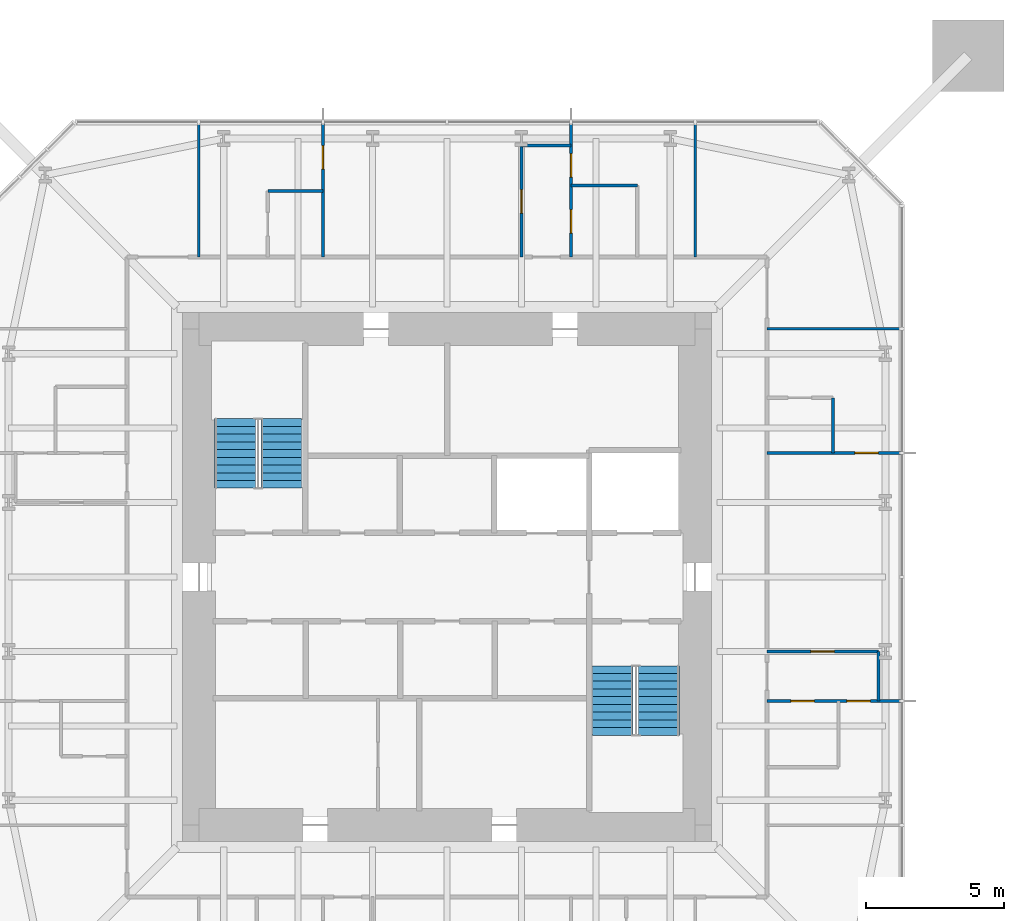
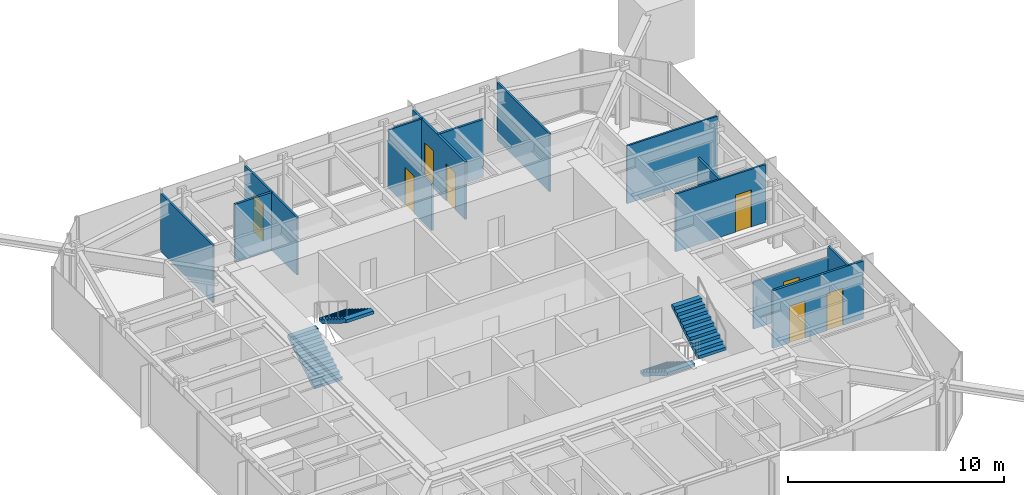
# One storey, part 8 of 9: 14 walls, 8 doors, 4 stair flights, 8 openings, 2 elements without a shape of their own.
"""IFC4 building model written with IfcOpenShell, lengths in metres."""

from ifc_helpers import new_model, si_unit, direction, frame, frame_2d, origin, place, context, subcontext, project, spatial, polyline, rectangle, outline, extrude, material, layer, layer_set, constituent, constituent_set, type_object, element, fill, aggregate, save


model = new_model("IFC4")

# Units and contexts
model_context = context("Model", 3, precision=1e-05, world=origin(), true_north=direction((0.0, 1.0)))
body_context = subcontext(model_context, "Body", "Model", "MODEL_VIEW")
ifc_project = project(units=[si_unit("LENGTHUNIT", "METRE"), si_unit("AREAUNIT", "SQUARE_METRE"), si_unit("VOLUMEUNIT", "CUBIC_METRE"), si_unit("PLANEANGLEUNIT", "RADIAN"), si_unit("MASSUNIT", "GRAM", prefix="KILO")], contexts=[model_context])

# Site, building, storey
site_placement = place(None, origin())
site = spatial("IfcSite", under=ifc_project, at=site_placement, CompositionType="ELEMENT")
building_placement = place(site_placement, origin())
building = spatial("IfcBuilding", under=site, at=building_placement, Name="Iwan Alto Co-Living Towers", CompositionType="ELEMENT")
storey_placement = place(building_placement, frame((0.0, 0.0, 243.0)))
storey = spatial("IfcBuildingStorey", under=building, at=storey_placement, Name="L66", CompositionType="ELEMENT", Elevation=243.0)

# Wall, opening, door
ifc_material_1 = material(Name="Gypsum board")
ifc_layer_1 = layer(ifc_material_1, 0.012451171875, Name="Board", Category="Finish")
ifc_material_2 = material(Name="Steel ASTM A1003 ST33H cold-formed studs", Category="steel")
ifc_layer_2 = layer(ifc_material_2, 0.074951171875, Name="Studs", Category="Framing")
ifc_layer_3 = layer(ifc_material_1, 0.012451171875, Name="Board", Category="Finish")
ifc_layer_set_1 = layer_set([ifc_layer_1, ifc_layer_2, ifc_layer_3], Name="PARTITION 100")
wall_type_1 = type_object("IfcWallType", Name="PARTITION 100", PredefinedType="PARTITIONING", material=ifc_layer_set_1)
wall_1_placement = place(storey_placement, frame((11.60009765625, -2.699951171875, 0.0), z_axis=(0.0, 0.0, 1.0), x_axis=(1.0, 0.0, 0.0)))
wall_1 = element("IfcWall", 1, at=wall_1_placement, inside=storey, type_object=wall_type_1, Name="Partition L66", PredefinedType="PARTITIONING", context=body_context, shape_type="SweptSolid", body=[
    extrude(rectangle(XDim=4.0498046875, YDim=0.10009765625, at=frame_2d((2.02490234375, 0.0))), origin(), (0.0, 0.0, 1.0), 2.662841796875),
])
opening_1_placement = place(wall_1_placement, frame((1.60009765625, 0.0, 0.0)))
opening_1 = element("IfcOpeningElement", 2, at=opening_1_placement, cuts=wall_1, Name="Opening D2", PredefinedType="OPENING", context=body_context, shape_type="SweptSolid", body=[
    extrude(rectangle(XDim=0.85009765625, YDim=2.10009765625, at=frame_2d((0.425048828125, 1.050048828125))), frame((0.0, 0.06005859375, 0.0), z_axis=(0.0, -1.0, 0.0), x_axis=(1.0, 0.0, 0.0)), (0.0, 0.0, 1.0), 0.1201171875),
])
ifc_material_3 = material(Name="Timber leaf in steel frame", Category="steel")
door_type = type_object("IfcDoorType", Name="ROOM DOOR 850X2100", OperationType="SINGLE_SWING_LEFT", PredefinedType="DOOR", material=ifc_material_3)
door_1_placement = place(opening_1_placement, origin())
door_1 = element("IfcDoor", 3, at=door_1_placement, inside=storey, type_object=door_type, Name="Apartment foyer door L66", OperationType="SINGLE_SWING_RIGHT", OverallHeight=2.10009765625, OverallWidth=0.85009765625, PredefinedType="DOOR", context=body_context, shape_type="SweptSolid", body=[
    extrude(rectangle(XDim=0.85009765625, YDim=2.10009765625, at=frame_2d((0.425048828125, 1.050048828125))), frame((0.0, 0.02490234375, 0.0), z_axis=(0.0, -1.0, 0.0), x_axis=(1.0, 0.0, 0.0)), (0.0, 0.0, 1.0), 0.050048828125),
])
fill(opening_1, door_1)

wall_2_placement = place(storey_placement, frame((11.60009765625, 4.5, 0.0), z_axis=(0.0, 0.0, 1.0), x_axis=(1.0, 0.0, 0.0)))
wall_2 = element("IfcWall", 4, at=wall_2_placement, inside=storey, type_object=wall_type_1, Name="Partition L66", PredefinedType="PARTITIONING", context=body_context, shape_type="SweptSolid", body=[
    extrude(rectangle(XDim=4.83984375, YDim=0.10009765625, at=frame_2d((2.419921875, 0.0))), origin(), (0.0, 0.0, 1.0), 3.27001953125),
])
opening_2_placement = place(wall_2_placement, frame((3.195068359375, 0.0, 0.0)))
opening_2 = element("IfcOpeningElement", 5, at=opening_2_placement, cuts=wall_2, Name="Opening D2", PredefinedType="OPENING", context=body_context, shape_type="SweptSolid", body=[
    extrude(rectangle(XDim=0.85009765625, YDim=2.10009765625, at=frame_2d((0.425048828125, 1.050048828125))), frame((0.0, 0.06005859375, 0.0), z_axis=(0.0, -1.0, 0.0), x_axis=(1.0, 0.0, 0.0)), (0.0, 0.0, 1.0), 0.1201171875),
])
door_2_placement = place(opening_2_placement, frame((0.85009765625, 0.0, 0.0), z_axis=(0.0, 0.0, 1.0), x_axis=(-1.0, 0.0, 0.0)))
door_2 = element("IfcDoor", 6, at=door_2_placement, inside=storey, type_object=door_type, Name="Bedroom door L66", OperationType="SINGLE_SWING_LEFT", OverallHeight=2.10009765625, OverallWidth=0.85009765625, PredefinedType="DOOR", context=body_context, shape_type="SweptSolid", body=[
    extrude(rectangle(XDim=0.85009765625, YDim=2.10009765625, at=frame_2d((0.425048828125, 1.050048828125))), frame((0.0, 0.02490234375, 0.0), z_axis=(0.0, -1.0, 0.0), x_axis=(1.0, 0.0, 0.0)), (0.0, 0.0, 1.0), 0.050048828125),
])
fill(opening_2, door_2)

# Walls
wall_3_placement = place(storey_placement, frame((11.60009765625, 9.0, 0.0), z_axis=(0.0, 0.0, 1.0), x_axis=(1.0, 0.0, 0.0)))
element("IfcWall", 7, at=wall_3_placement, inside=storey, type_object=wall_type_1, Name="Partition L66", PredefinedType="PARTITIONING", context=body_context, shape_type="SweptSolid", body=[
    extrude(rectangle(XDim=4.83984375, YDim=0.10009765625, at=frame_2d((2.419921875, 0.0))), origin(), (0.0, 0.0, 1.0), 3.27001953125),
])
for number, where, z_axis, x_axis, name in (
    (8, (2.699951171875, 15.64990234375, 0.0), (0.0, 0.0, 1.0), (1.0, 0.0, 0.0), "Partition L66"),
    (9, (15.64990234375, -4.5, 0.0), (0.0, 0.0, 1.0), (0.0, 1.0, 0.0), "Partition L66"),
):
    element("IfcWall", number, at=place(storey_placement, frame(where, z_axis=z_axis, x_axis=x_axis)), inside=storey, type_object=wall_type_1, Name=name, PredefinedType="PARTITIONING", context=body_context, shape_type="SweptSolid", body=[
        extrude(rectangle(XDim=1.800048828125, YDim=0.10009765625, at=frame_2d((0.89990234375, 0.0))), origin(), (0.0, 0.0, 1.0), 3.27001953125),
    ])
wall_4_placement = place(storey_placement, frame((9.0, 11.60009765625, 0.0), z_axis=(0.0, 0.0, 1.0), x_axis=(0.0, 1.0, 0.0)))
element("IfcWall", 10, at=wall_4_placement, inside=storey, type_object=wall_type_1, Name="Partition L66", PredefinedType="PARTITIONING", context=body_context, shape_type="SweptSolid", body=[
    extrude(rectangle(XDim=4.83984375, YDim=0.10009765625, at=frame_2d((2.419921875, 0.0))), origin(), (0.0, 0.0, 1.0), 3.27001953125),
])

# Wall, opening, door
wall_5_placement = place(storey_placement, frame((2.699951171875, 11.60009765625, 0.0), z_axis=(0.0, 0.0, 1.0), x_axis=(0.0, 1.0, 0.0)))
wall_5 = element("IfcWall", 11, at=wall_5_placement, inside=storey, type_object=wall_type_1, Name="Partition L66", PredefinedType="PARTITIONING", context=body_context, shape_type="SweptSolid", body=[
    extrude(rectangle(XDim=4.0498046875, YDim=0.10009765625, at=frame_2d((2.02490234375, 0.0))), origin(), (0.0, 0.0, 1.0), 2.662841796875),
])
opening_3_placement = place(wall_5_placement, frame((1.60009765625, 0.0, 0.0)))
opening_3 = element("IfcOpeningElement", 12, at=opening_3_placement, cuts=wall_5, Name="Opening D2", PredefinedType="OPENING", context=body_context, shape_type="SweptSolid", body=[
    extrude(rectangle(XDim=0.85009765625, YDim=2.10009765625, at=frame_2d((0.425048828125, 1.050048828125))), frame((0.0, 0.06005859375, 0.0), z_axis=(0.0, -1.0, 0.0), x_axis=(1.0, 0.0, 0.0)), (0.0, 0.0, 1.0), 0.1201171875),
])
door_3_placement = place(opening_3_placement, origin())
door_3 = element("IfcDoor", 13, at=door_3_placement, inside=storey, type_object=door_type, Name="Apartment foyer door L66", OperationType="SINGLE_SWING_RIGHT", OverallHeight=2.10009765625, OverallWidth=0.85009765625, PredefinedType="DOOR", context=body_context, shape_type="SweptSolid", body=[
    extrude(rectangle(XDim=0.85009765625, YDim=2.10009765625, at=frame_2d((0.425048828125, 1.050048828125))), frame((0.0, 0.02490234375, 0.0), z_axis=(0.0, -1.0, 0.0), x_axis=(1.0, 0.0, 0.0)), (0.0, 0.0, 1.0), 0.050048828125),
])
fill(opening_3, door_3)

wall_6_placement = place(storey_placement, frame((-4.5, 11.60009765625, 0.0), z_axis=(0.0, 0.0, 1.0), x_axis=(0.0, 1.0, 0.0)))
wall_6 = element("IfcWall", 14, at=wall_6_placement, inside=storey, type_object=wall_type_1, Name="Partition L66", PredefinedType="PARTITIONING", context=body_context, shape_type="SweptSolid", body=[
    extrude(rectangle(XDim=4.83984375, YDim=0.10009765625, at=frame_2d((2.419921875, 0.0))), origin(), (0.0, 0.0, 1.0), 3.27001953125),
])
opening_4_placement = place(wall_6_placement, frame((3.195068359375, 0.0, 0.0)))
opening_4 = element("IfcOpeningElement", 15, at=opening_4_placement, cuts=wall_6, Name="Opening D2", PredefinedType="OPENING", context=body_context, shape_type="SweptSolid", body=[
    extrude(rectangle(XDim=0.85009765625, YDim=2.10009765625, at=frame_2d((0.425048828125, 1.050048828125))), frame((0.0, 0.06005859375, 0.0), z_axis=(0.0, -1.0, 0.0), x_axis=(1.0, 0.0, 0.0)), (0.0, 0.0, 1.0), 0.1201171875),
])
door_4_placement = place(opening_4_placement, frame((0.85009765625, 0.0, 0.0), z_axis=(0.0, 0.0, 1.0), x_axis=(-1.0, 0.0, 0.0)))
door_4 = element("IfcDoor", 16, at=door_4_placement, inside=storey, type_object=door_type, Name="Bedroom door L66", OperationType="SINGLE_SWING_LEFT", OverallHeight=2.10009765625, OverallWidth=0.85009765625, PredefinedType="DOOR", context=body_context, shape_type="SweptSolid", body=[
    extrude(rectangle(XDim=0.85009765625, YDim=2.10009765625, at=frame_2d((0.425048828125, 1.050048828125))), frame((0.0, 0.02490234375, 0.0), z_axis=(0.0, -1.0, 0.0), x_axis=(1.0, 0.0, 0.0)), (0.0, 0.0, 1.0), 0.050048828125),
])
fill(opening_4, door_4)

# Wall
wall_7_placement = place(storey_placement, frame((-9.0, 11.60009765625, 0.0), z_axis=(0.0, 0.0, 1.0), x_axis=(0.0, 1.0, 0.0)))
element("IfcWall", 17, at=wall_7_placement, inside=storey, type_object=wall_type_1, Name="Partition L66", PredefinedType="PARTITIONING", context=body_context, shape_type="SweptSolid", body=[
    extrude(rectangle(XDim=4.83984375, YDim=0.10009765625, at=frame_2d((2.419921875, 0.0))), origin(), (0.0, 0.0, 1.0), 3.27001953125),
])

# Wall, openings, doors
ifc_material_4 = material(Name="Cement board")
ifc_layer_4 = layer(ifc_material_4, 0.012451171875, Name="Board", Category="Finish")
ifc_layer_5 = layer(ifc_material_2, 0.094970703125, Name="Studs", Category="Framing")
ifc_layer_6 = layer(ifc_material_4, 0.012451171875, Name="Board", Category="Finish")
ifc_layer_set_2 = layer_set([ifc_layer_4, ifc_layer_5, ifc_layer_6], Name="WET AREA PARTITION 120")
wall_type_2 = type_object("IfcWallType", Name="WET AREA PARTITION 120", PredefinedType="PARTITIONING", material=ifc_layer_set_2)
wall_8_placement = place(storey_placement, frame((11.60009765625, -4.5, 0.0), z_axis=(0.0, 0.0, 1.0), x_axis=(1.0, 0.0, 0.0)))
wall_8 = element("IfcWall", 18, at=wall_8_placement, inside=storey, type_object=wall_type_2, Name="Partition L66", PredefinedType="PARTITIONING", context=body_context, shape_type="SweptSolid", body=[
    extrude(rectangle(XDim=4.83984375, YDim=0.1201171875, at=frame_2d((2.419921875, 0.0))), origin(), (0.0, 0.0, 1.0), 3.27001953125),
])
opening_5_placement = place(wall_8_placement, frame((2.89990234375, 0.0, 0.0)))
opening_5 = element("IfcOpeningElement", 19, at=opening_5_placement, cuts=wall_8, Name="Opening D2", PredefinedType="OPENING", context=body_context, shape_type="SweptSolid", body=[
    extrude(rectangle(XDim=0.85009765625, YDim=2.10009765625, at=frame_2d((0.425048828125, 1.050048828125))), frame((0.0, 0.070068359375, 0.0), z_axis=(0.0, -1.0, 0.0), x_axis=(1.0, 0.0, 0.0)), (0.0, 0.0, 1.0), 0.14013671875),
])
opening_6_placement = place(wall_8_placement, frame((0.875, 0.0, 0.0)))
opening_6 = element("IfcOpeningElement", 20, at=opening_6_placement, cuts=wall_8, Name="Opening D2", PredefinedType="OPENING", context=body_context, shape_type="SweptSolid", body=[
    extrude(rectangle(XDim=0.85009765625, YDim=2.10009765625, at=frame_2d((0.425048828125, 1.050048828125))), frame((0.0, 0.070068359375, 0.0), z_axis=(0.0, -1.0, 0.0), x_axis=(1.0, 0.0, 0.0)), (0.0, 0.0, 1.0), 0.14013671875),
])
door_5_placement = place(opening_5_placement, frame((0.85009765625, 0.0, 0.0), z_axis=(0.0, 0.0, 1.0), x_axis=(-1.0, 0.0, 0.0)))
door_5 = element("IfcDoor", 21, at=door_5_placement, inside=storey, type_object=door_type, Name="Bedroom door L66", OperationType="SINGLE_SWING_RIGHT", OverallHeight=2.10009765625, OverallWidth=0.85009765625, PredefinedType="DOOR", context=body_context, shape_type="SweptSolid", body=[
    extrude(rectangle(XDim=0.85009765625, YDim=2.10009765625, at=frame_2d((0.425048828125, 1.050048828125))), frame((0.0, 0.02490234375, 0.0), z_axis=(0.0, -1.0, 0.0), x_axis=(1.0, 0.0, 0.0)), (0.0, 0.0, 1.0), 0.050048828125),
])
fill(opening_5, door_5)
door_6_placement = place(opening_6_placement, frame((0.85009765625, 0.0, 0.0), z_axis=(0.0, 0.0, 1.0), x_axis=(-1.0, 0.0, 0.0)))
door_6 = element("IfcDoor", 22, at=door_6_placement, inside=storey, type_object=door_type, Name="Bathroom door L66", OperationType="SINGLE_SWING_RIGHT", OverallHeight=2.10009765625, OverallWidth=0.85009765625, PredefinedType="DOOR", context=body_context, shape_type="SweptSolid", body=[
    extrude(rectangle(XDim=0.85009765625, YDim=2.10009765625, at=frame_2d((0.425048828125, 1.050048828125))), frame((0.0, 0.02490234375, 0.0), z_axis=(0.0, -1.0, 0.0), x_axis=(1.0, 0.0, 0.0)), (0.0, 0.0, 1.0), 0.050048828125),
])
fill(opening_6, door_6)

# Walls
wall_9_placement = place(storey_placement, frame((-6.5, 14.0, 0.0), z_axis=(0.0, 0.0, 1.0), x_axis=(1.0, 0.0, 0.0)))
element("IfcWall", 23, at=wall_9_placement, inside=storey, type_object=wall_type_2, Name="Partition L66", PredefinedType="PARTITIONING", context=body_context, shape_type="SweptSolid", body=[
    extrude(rectangle(XDim=2.0, YDim=0.1201171875, at=frame_2d((1.0, 0.0))), origin(), (0.0, 0.0, 1.0), 3.27001953125),
])
wall_10_placement = place(storey_placement, frame((4.5, 14.199951171875, 0.0), z_axis=(0.0, 0.0, 1.0), x_axis=(1.0, 0.0, 0.0)))
element("IfcWall", 24, at=wall_10_placement, inside=storey, type_object=wall_type_2, Name="Partition L66", PredefinedType="PARTITIONING", context=body_context, shape_type="SweptSolid", body=[
    extrude(rectangle(XDim=2.39990234375, YDim=0.1201171875, at=frame_2d((1.199951171875, 0.0))), origin(), (0.0, 0.0, 1.0), 3.27001953125),
])
wall_11_placement = place(storey_placement, frame((14.0, 4.5, 0.0), z_axis=(0.0, 0.0, 1.0), x_axis=(0.0, 1.0, 0.0)))
element("IfcWall", 25, at=wall_11_placement, inside=storey, type_object=wall_type_2, Name="Partition L66", PredefinedType="PARTITIONING", context=body_context, shape_type="SweptSolid", body=[
    extrude(rectangle(XDim=2.0, YDim=0.1201171875, at=frame_2d((1.0, 0.0))), origin(), (0.0, 0.0, 1.0), 3.27001953125),
])

# Wall, openings, doors
wall_12_placement = place(storey_placement, frame((4.5, 11.60009765625, 0.0), z_axis=(0.0, 0.0, 1.0), x_axis=(0.0, 1.0, 0.0)))
wall_12 = element("IfcWall", 26, at=wall_12_placement, inside=storey, type_object=wall_type_2, Name="Partition L66", PredefinedType="PARTITIONING", context=body_context, shape_type="SweptSolid", body=[
    extrude(rectangle(XDim=4.83984375, YDim=0.1201171875, at=frame_2d((2.419921875, 0.0))), origin(), (0.0, 0.0, 1.0), 3.27001953125),
])
opening_7_placement = place(wall_12_placement, frame((2.89990234375, 0.0, 0.0)))
opening_7 = element("IfcOpeningElement", 27, at=opening_7_placement, cuts=wall_12, Name="Opening D2", PredefinedType="OPENING", context=body_context, shape_type="SweptSolid", body=[
    extrude(rectangle(XDim=0.85009765625, YDim=2.10009765625, at=frame_2d((0.425048828125, 1.050048828125))), frame((0.0, 0.070068359375, 0.0), z_axis=(0.0, -1.0, 0.0), x_axis=(1.0, 0.0, 0.0)), (0.0, 0.0, 1.0), 0.14013671875),
])
opening_8_placement = place(wall_12_placement, frame((0.875, 0.0, 0.0)))
opening_8 = element("IfcOpeningElement", 28, at=opening_8_placement, cuts=wall_12, Name="Opening D2", PredefinedType="OPENING", context=body_context, shape_type="SweptSolid", body=[
    extrude(rectangle(XDim=0.85009765625, YDim=2.10009765625, at=frame_2d((0.425048828125, 1.050048828125))), frame((0.0, 0.070068359375, 0.0), z_axis=(0.0, -1.0, 0.0), x_axis=(1.0, 0.0, 0.0)), (0.0, 0.0, 1.0), 0.14013671875),
])
door_7_placement = place(opening_7_placement, frame((0.85009765625, 0.0, 0.0), z_axis=(0.0, 0.0, 1.0), x_axis=(-1.0, 0.0, 0.0)))
door_7 = element("IfcDoor", 29, at=door_7_placement, inside=storey, type_object=door_type, Name="Bedroom door L66", OperationType="SINGLE_SWING_RIGHT", OverallHeight=2.10009765625, OverallWidth=0.85009765625, PredefinedType="DOOR", context=body_context, shape_type="SweptSolid", body=[
    extrude(rectangle(XDim=0.85009765625, YDim=2.10009765625, at=frame_2d((0.425048828125, 1.050048828125))), frame((0.0, 0.02490234375, 0.0), z_axis=(0.0, -1.0, 0.0), x_axis=(1.0, 0.0, 0.0)), (0.0, 0.0, 1.0), 0.050048828125),
])
fill(opening_7, door_7)
door_8_placement = place(opening_8_placement, frame((0.85009765625, 0.0, 0.0), z_axis=(0.0, 0.0, 1.0), x_axis=(-1.0, 0.0, 0.0)))
door_8 = element("IfcDoor", 30, at=door_8_placement, inside=storey, type_object=door_type, Name="Bathroom door L66", OperationType="SINGLE_SWING_RIGHT", OverallHeight=2.10009765625, OverallWidth=0.85009765625, PredefinedType="DOOR", context=body_context, shape_type="SweptSolid", body=[
    extrude(rectangle(XDim=0.85009765625, YDim=2.10009765625, at=frame_2d((0.425048828125, 1.050048828125))), frame((0.0, 0.02490234375, 0.0), z_axis=(0.0, -1.0, 0.0), x_axis=(1.0, 0.0, 0.0)), (0.0, 0.0, 1.0), 0.050048828125),
])
fill(opening_8, door_8)

# Stair, stair flights
ifc_material_5 = material(Name="Steel ASTM A36", Category="steel")
ifc_constituent_1 = constituent(ifc_material_5, Name="Stringers", Category="LoadBearing")
ifc_material_6 = material(Name="Concrete f'c 30 MPa", Category="concrete")
ifc_constituent_2 = constituent(ifc_material_6, Name="Tread fill", Category="Finish")
ifc_constituent_set_1 = constituent_set(constituents=[ifc_constituent_1, ifc_constituent_2], Name="STAIR 3500 TWO-FLIGHT T1 CORE")
stair_type = type_object("IfcStairType", Name="STAIR 3500 TWO-FLIGHT T1 CORE", PredefinedType="HALF_TURN_STAIR", material=ifc_constituent_set_1)
stair_1_placement = place(storey_placement, origin())
stair_1 = element("IfcStair", 31, at=stair_1_placement, inside=storey, type_object=stair_type, Name="Stair T1-S1 L66 to L67", PredefinedType="HALF_TURN_STAIR")
ifc_constituent_3 = constituent(ifc_material_5, Name="Stringers", Category="LoadBearing")
ifc_constituent_4 = constituent(ifc_material_6, Name="Tread fill", Category="Finish")
ifc_constituent_set_2 = constituent_set(constituents=[ifc_constituent_3, ifc_constituent_4], Name="STAIR FLIGHT 10 RISERS 280 GOING")
stair_flight_type = type_object("IfcStairFlightType", Name="STAIR FLIGHT 10 RISERS 280 GOING", PredefinedType="STRAIGHT", material=ifc_constituent_set_2)
stair_flight_1_placement = place(storey_placement, frame((-7.68994140625, 3.219970703125, 0.0), z_axis=(0.0, 0.0, 1.0), x_axis=(0.0, 1.0, 0.0)))
stair_flight_1 = element("IfcStairFlight", 32, at=stair_flight_1_placement, type_object=stair_flight_type, Name="T1-S1 flight 1", NumberOfRisers=10, NumberOfTreads=9, PredefinedType="STRAIGHT", RiserHeight=0.175, TreadLength=0.28, context=body_context, shape_type="SweptSolid", body=[
    extrude(outline(polyline([(0.0, 0.0), (0.0, 0.175048828125), (0.280029296875, 0.175048828125), (0.280029296875, 0.35009765625), (0.56005859375, 0.35009765625), (0.56005859375, 0.52490234375), (0.840087890625, 0.52490234375), (0.840087890625, 0.699951171875), (1.1201171875, 0.699951171875), (1.1201171875, 0.875), (1.39990234375, 0.875), (1.39990234375, 1.050048828125), (1.679931640625, 1.050048828125), (1.679931640625, 1.22509765625), (1.9599609375, 1.22509765625), (1.9599609375, 1.39990234375), (2.239990234375, 1.39990234375), (2.239990234375, 1.574951171875), (2.52001953125, 1.574951171875), (2.52001953125, 1.75), (2.52001953125, 1.398193359375), (0.28271484375, 0.0), (0.0, 0.0)])), frame((0.0, 0.739990234375, 0.0), z_axis=(0.0, -1.0, 0.0), x_axis=(1.0, 0.0, 0.0)), (0.0, 0.0, 1.0), 1.47998046875),
])
stair_flight_2_placement = place(storey_placement, frame((-6.010009765625, 5.739990234375, 1.75), z_axis=(0.0, 0.0, 1.0), x_axis=(0.0, -1.0, 0.0)))
stair_flight_2 = element("IfcStairFlight", 33, at=stair_flight_2_placement, type_object=stair_flight_type, Name="T1-S1 flight 2", NumberOfRisers=10, NumberOfTreads=9, PredefinedType="STRAIGHT", RiserHeight=0.175, TreadLength=0.28, context=body_context, shape_type="SweptSolid", body=[
    extrude(outline(polyline([(0.0, 0.0), (0.0, 0.175048828125), (0.280029296875, 0.175048828125), (0.280029296875, 0.35009765625), (0.56005859375, 0.35009765625), (0.56005859375, 0.52490234375), (0.840087890625, 0.52490234375), (0.840087890625, 0.699951171875), (1.1201171875, 0.699951171875), (1.1201171875, 0.875), (1.39990234375, 0.875), (1.39990234375, 1.050048828125), (1.679931640625, 1.050048828125), (1.679931640625, 1.22509765625), (1.9599609375, 1.22509765625), (1.9599609375, 1.39990234375), (2.239990234375, 1.39990234375), (2.239990234375, 1.574951171875), (2.52001953125, 1.574951171875), (2.52001953125, 1.75), (2.52001953125, 1.398193359375), (0.28271484375, 0.0), (0.0, 0.0)])), frame((0.0, 0.739990234375, 0.0), z_axis=(0.0, -1.0, 0.0), x_axis=(1.0, 0.0, 0.0)), (0.0, 0.0, 1.0), 1.47998046875),
])
aggregate(stair_1, [stair_flight_1, stair_flight_2])

stair_2_placement = place(storey_placement, origin())
stair_2 = element("IfcStair", 34, at=stair_2_placement, inside=storey, type_object=stair_type, Name="Stair T1-S2 L66 to L67", PredefinedType="HALF_TURN_STAIR")
stair_flight_3_placement = place(storey_placement, frame((6.010009765625, -3.219970703125, 0.0), z_axis=(0.0, 0.0, 1.0), x_axis=(0.0, -1.0, 0.0)))
stair_flight_3 = element("IfcStairFlight", 35, at=stair_flight_3_placement, type_object=stair_flight_type, Name="T1-S2 flight 1", NumberOfRisers=10, NumberOfTreads=9, PredefinedType="STRAIGHT", RiserHeight=0.175, TreadLength=0.28, context=body_context, shape_type="SweptSolid", body=[
    extrude(outline(polyline([(0.0, 0.0), (0.0, 0.175048828125), (0.280029296875, 0.175048828125), (0.280029296875, 0.35009765625), (0.56005859375, 0.35009765625), (0.56005859375, 0.52490234375), (0.840087890625, 0.52490234375), (0.840087890625, 0.699951171875), (1.1201171875, 0.699951171875), (1.1201171875, 0.875), (1.39990234375, 0.875), (1.39990234375, 1.050048828125), (1.679931640625, 1.050048828125), (1.679931640625, 1.22509765625), (1.9599609375, 1.22509765625), (1.9599609375, 1.39990234375), (2.239990234375, 1.39990234375), (2.239990234375, 1.574951171875), (2.52001953125, 1.574951171875), (2.52001953125, 1.75), (2.52001953125, 1.398193359375), (0.28271484375, 0.0), (0.0, 0.0)])), frame((0.0, 0.739990234375, 0.0), z_axis=(0.0, -1.0, 0.0), x_axis=(1.0, 0.0, 0.0)), (0.0, 0.0, 1.0), 1.47998046875),
])
stair_flight_4_placement = place(storey_placement, frame((7.68994140625, -5.739990234375, 1.75), z_axis=(0.0, 0.0, 1.0), x_axis=(0.0, 1.0, 0.0)))
stair_flight_4 = element("IfcStairFlight", 36, at=stair_flight_4_placement, type_object=stair_flight_type, Name="T1-S2 flight 2", NumberOfRisers=10, NumberOfTreads=9, PredefinedType="STRAIGHT", RiserHeight=0.175, TreadLength=0.28, context=body_context, shape_type="SweptSolid", body=[
    extrude(outline(polyline([(0.0, 0.0), (0.0, 0.175048828125), (0.280029296875, 0.175048828125), (0.280029296875, 0.35009765625), (0.56005859375, 0.35009765625), (0.56005859375, 0.52490234375), (0.840087890625, 0.52490234375), (0.840087890625, 0.699951171875), (1.1201171875, 0.699951171875), (1.1201171875, 0.875), (1.39990234375, 0.875), (1.39990234375, 1.050048828125), (1.679931640625, 1.050048828125), (1.679931640625, 1.22509765625), (1.9599609375, 1.22509765625), (1.9599609375, 1.39990234375), (2.239990234375, 1.39990234375), (2.239990234375, 1.574951171875), (2.52001953125, 1.574951171875), (2.52001953125, 1.75), (2.52001953125, 1.398193359375), (0.28271484375, 0.0), (0.0, 0.0)])), frame((0.0, 0.739990234375, 0.0), z_axis=(0.0, -1.0, 0.0), x_axis=(1.0, 0.0, 0.0)), (0.0, 0.0, 1.0), 1.47998046875),
])
aggregate(stair_2, [stair_flight_3, stair_flight_4])

save(model, "model.ifc")
